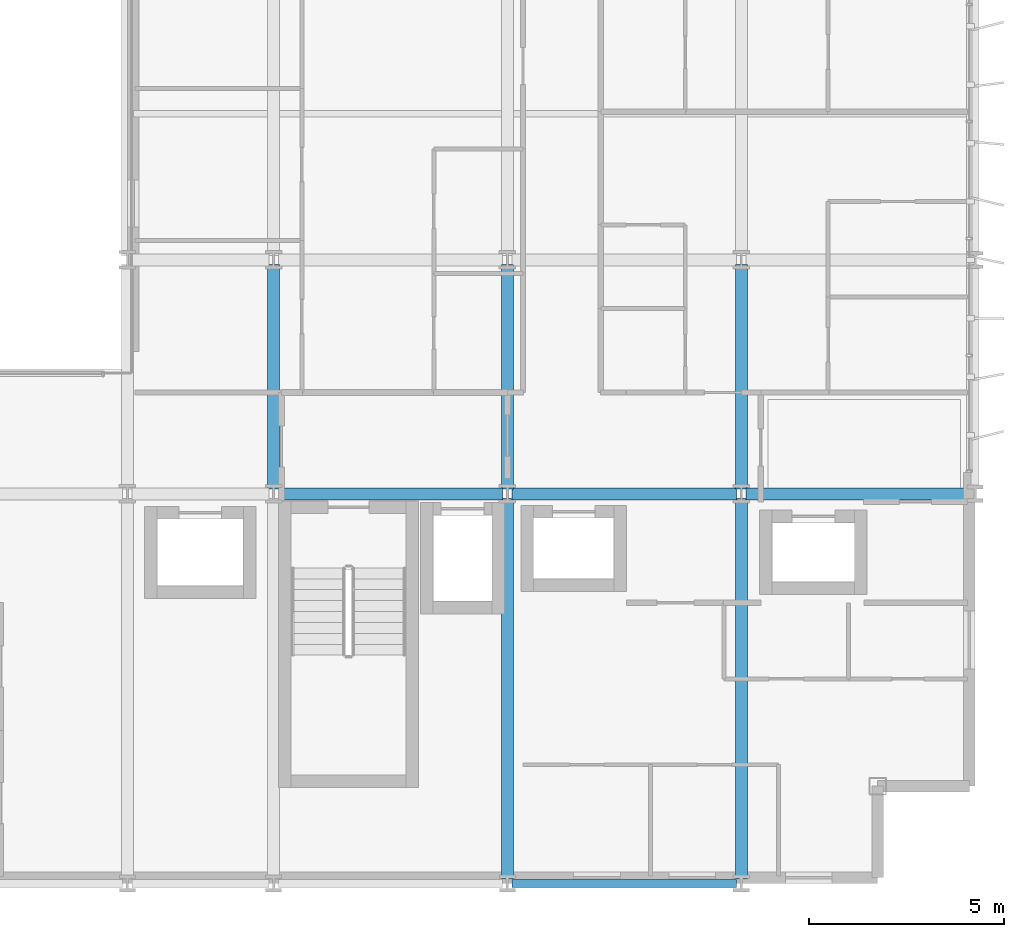
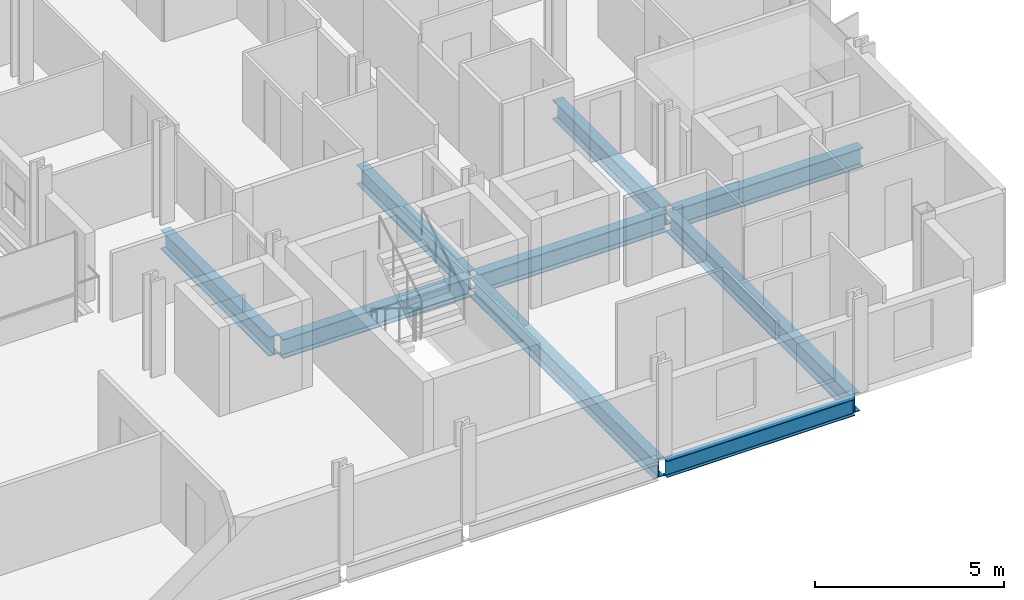
# One storey, part 14 of 38: 9 beams.
"""IFC4 building model written with IfcOpenShell, lengths in metres."""

from ifc_helpers import new_model, si_unit, direction, frame, origin, origin_2d, place, context, subcontext, project, spatial, i_section, extrude, material, material_profile, profile_set, type_object, element, save


model = new_model("IFC4")

# Units and contexts
model_context = context("Model", 3, precision=1e-05, world=origin(), true_north=direction((0.0, 1.0)))
body_context = subcontext(model_context, "Body", "Model", "MODEL_VIEW")
ifc_project = project(units=[si_unit("LENGTHUNIT", "METRE"), si_unit("AREAUNIT", "SQUARE_METRE"), si_unit("VOLUMEUNIT", "CUBIC_METRE"), si_unit("PLANEANGLEUNIT", "RADIAN"), si_unit("MASSUNIT", "GRAM", prefix="KILO")], contexts=[model_context])

# Site, building, storey
site_placement = place(None, origin())
site = spatial("IfcSite", under=ifc_project, at=site_placement, CompositionType="ELEMENT")
building_placement = place(site_placement, origin())
building = spatial("IfcBuilding", under=site, at=building_placement, Name="Brevholm Reach", CompositionType="ELEMENT")
storey_placement = place(building_placement, frame((0.0, 0.0, 46.60009765625)))
storey = spatial("IfcBuildingStorey", under=building, at=storey_placement, Name="L12", CompositionType="ELEMENT", Elevation=46.60009765625)

# Beams
ifc_material_1 = material(Name="Structural Steel S355J2", Category="steel")
ifc_material_profile_1 = material_profile(ifc_material_1, i_section(OverallWidth=0.210693359375, OverallDepth=0.53955078125, WebThickness=0.01171875, FlangeThickness=0.018798828125, FilletRadius=0.0126953125, at=origin_2d()), Name="UKB 533x210x109")
ifc_profile_set_1 = profile_set([ifc_material_profile_1], Name="Structural Steel S355J2")
beam_type_1 = type_object("IfcBeamType", Name="BM-SP539", PredefinedType="SPANDREL", material=ifc_profile_set_1)
beam_1_placement = place(storey_placement, frame((48.1201171875, 0.0, -0.499755859375), z_axis=(1.0, 0.0, 0.0), x_axis=(0.0, 1.0, 0.0)))
element("IfcBeam", 1, at=beam_1_placement, inside=storey, type_object=beam_type_1, Name="L12 SP-01B Framing Beam", PredefinedType="SPANDREL", context=body_context, shape_type="SweptSolid", body=[
    extrude(i_section(OverallWidth=0.210693359375, OverallDepth=0.53955078125, WebThickness=0.01171875, FlangeThickness=0.018798828125, FilletRadius=0.0126953125, at=origin_2d()), origin(), (0.0, 0.0, 1.0), 5.759765625),
])
ifc_material_2 = material(Name="Structural Steel S355J2", Category="steel")
ifc_material_profile_2 = material_profile(ifc_material_2, i_section(OverallWidth=0.30712890625, OverallDepth=0.6201171875, WebThickness=0.01416015625, FlangeThickness=0.023681640625, FilletRadius=0.0166015625, at=origin_2d()), Name="UKB 610x305x179")
ifc_profile_set_2 = profile_set([ifc_material_profile_2], Name="Structural Steel S355J2")
beam_type_2 = type_object("IfcBeamType", Name="BM-UKB610H", PredefinedType="USERDEFINED", material=ifc_profile_set_2)
for number, where, z_axis, x_axis, name in (
    (2, (42.1201171875, 10.0, -0.540283203125), (1.0, 0.0, 0.0), (0.0, 1.0, 0.0), "L12 G-06 Framing Beam"),
    (3, (48.1201171875, 10.0, -0.540283203125), (1.0, 0.0, 0.0), (0.0, 1.0, 0.0), "L12 G-06 Framing Beam"),
    (4, (54.1201171875, 10.0, -0.540283203125), (1.0, 0.0, 0.0), (0.0, 1.0, 0.0), "L12 G-06 Framing Beam"),
    (5, (42.0, 10.1201171875, -0.540283203125), (0.0, 1.0, 0.0), (-1.0, 0.0, 0.0), "L12 G-06 Framing Beam"),
):
    element("IfcBeam", number, at=place(storey_placement, frame(where, z_axis=z_axis, x_axis=x_axis)), inside=storey, type_object=beam_type_2, Name=name, ObjectType="GIRDER", PredefinedType="USERDEFINED", context=body_context, shape_type="SweptSolid", body=[
        extrude(i_section(OverallWidth=0.30712890625, OverallDepth=0.6201171875, WebThickness=0.01416015625, FlangeThickness=0.023681640625, FilletRadius=0.0166015625, at=origin_2d()), origin(), (0.0, 0.0, 1.0), 5.759765625),
    ])
beam_2_placement = place(storey_placement, frame((48.0, 0.1201171875, -0.540283203125), z_axis=(0.0, 1.0, 0.0), x_axis=(-1.0, 0.0, 0.0)))
element("IfcBeam", 6, at=beam_2_placement, inside=storey, type_object=beam_type_2, Name="L12 G-06 Framing Beam", ObjectType="GIRDER", PredefinedType="USERDEFINED", context=body_context, shape_type="SweptSolid", body=[
    extrude(i_section(OverallWidth=0.30712890625, OverallDepth=0.6201171875, WebThickness=0.01416015625, FlangeThickness=0.023681640625, FilletRadius=0.0166015625, at=origin_2d()), origin(), (0.0, 0.0, 1.0), 9.759765625),
])
beam_3_placement = place(storey_placement, frame((48.0, 10.1201171875, -0.540283203125), z_axis=(0.0, 1.0, 0.0), x_axis=(-1.0, 0.0, 0.0)))
element("IfcBeam", 7, at=beam_3_placement, inside=storey, type_object=beam_type_2, Name="L12 G-06 Framing Beam", ObjectType="GIRDER", PredefinedType="USERDEFINED", context=body_context, shape_type="SweptSolid", body=[
    extrude(i_section(OverallWidth=0.30712890625, OverallDepth=0.6201171875, WebThickness=0.01416015625, FlangeThickness=0.023681640625, FilletRadius=0.0166015625, at=origin_2d()), origin(), (0.0, 0.0, 1.0), 5.759765625),
])
beam_4_placement = place(storey_placement, frame((54.0, 0.1201171875, -0.540283203125), z_axis=(0.0, 1.0, 0.0), x_axis=(-1.0, 0.0, 0.0)))
element("IfcBeam", 8, at=beam_4_placement, inside=storey, type_object=beam_type_2, Name="L12 G-06 Framing Beam", ObjectType="GIRDER", PredefinedType="USERDEFINED", context=body_context, shape_type="SweptSolid", body=[
    extrude(i_section(OverallWidth=0.30712890625, OverallDepth=0.6201171875, WebThickness=0.01416015625, FlangeThickness=0.023681640625, FilletRadius=0.0166015625, at=origin_2d()), origin(), (0.0, 0.0, 1.0), 9.759765625),
])
beam_5_placement = place(storey_placement, frame((54.0, 10.1201171875, -0.540283203125), z_axis=(0.0, 1.0, 0.0), x_axis=(-1.0, 0.0, 0.0)))
element("IfcBeam", 9, at=beam_5_placement, inside=storey, type_object=beam_type_2, Name="L12 G-06 Framing Beam", ObjectType="GIRDER", PredefinedType="USERDEFINED", context=body_context, shape_type="SweptSolid", body=[
    extrude(i_section(OverallWidth=0.30712890625, OverallDepth=0.6201171875, WebThickness=0.01416015625, FlangeThickness=0.023681640625, FilletRadius=0.0166015625, at=origin_2d()), origin(), (0.0, 0.0, 1.0), 5.759765625),
])

save(model, "model.ifc")
